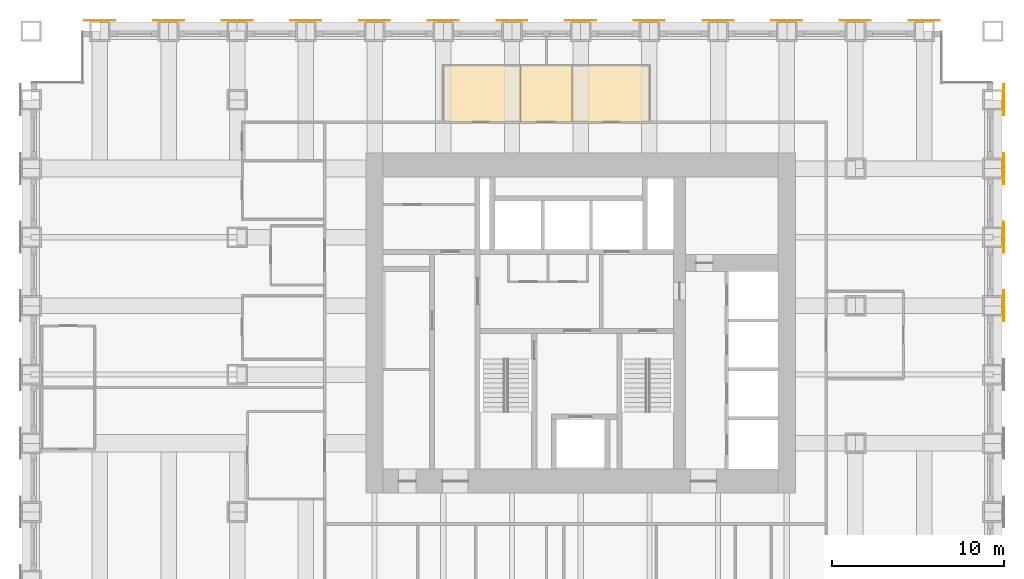
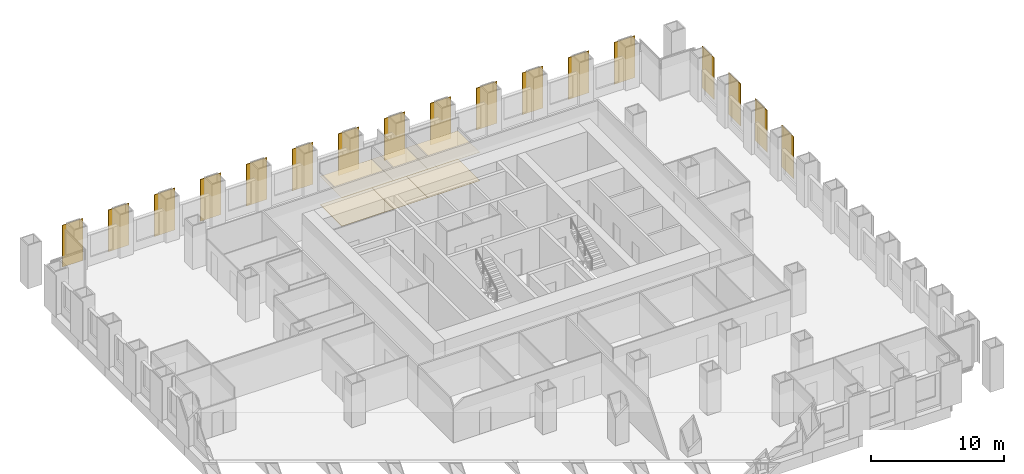
# One storey, part 15 of 15: 17 shading devices, 6 coverings.
"""IFC4 building model written with IfcOpenShell, lengths in metres."""

from ifc_helpers import new_model, si_unit, direction, frame, origin, origin_2d, place, context, subcontext, project, spatial, polyline, rectangle, outline, extrude, material, layer, layer_set, type_object, element, save


model = new_model("IFC4")

# Units and contexts
model_context = context("Model", 3, precision=1e-05, world=origin(), true_north=direction((0.0, 1.0)))
body_context = subcontext(model_context, "Body", "Model", "MODEL_VIEW")
ifc_project = project(units=[si_unit("LENGTHUNIT", "METRE"), si_unit("AREAUNIT", "SQUARE_METRE"), si_unit("VOLUMEUNIT", "CUBIC_METRE"), si_unit("PLANEANGLEUNIT", "RADIAN"), si_unit("MASSUNIT", "GRAM", prefix="KILO")], contexts=[model_context])

# Site, building, storey
site_placement = place(None, origin())
site = spatial("IfcSite", under=ifc_project, at=site_placement, CompositionType="ELEMENT")
building_placement = place(site_placement, origin())
building = spatial("IfcBuilding", under=site, at=building_placement, Name="Rimbunsela Tower", CompositionType="ELEMENT")
storey_placement = place(building_placement, frame((0.0, 0.0, 31.0)))
storey = spatial("IfcBuildingStorey", under=building, at=storey_placement, Name="L07", CompositionType="ELEMENT", Elevation=31.0)

# Coverings
ifc_material_1 = material(Name="Moisture-resistant plasterboard ceiling", Category="gypsum")
ifc_layer_1 = layer(ifc_material_1, 0.012451171875)
ifc_layer_set_1 = layer_set([ifc_layer_1], Name="Ceiling moisture-resistant board")
covering_type_1 = type_object("IfcCoveringType", Name="Ceiling moisture-resistant board", PredefinedType="CEILING", material=ifc_layer_set_1)
covering_1_placement = place(storey_placement, frame((0.0, 0.0, 2.60009765625)))
element("IfcCovering", 1, at=covering_1_placement, inside=storey, type_object=covering_type_1, Name="Ceiling Female WC", PredefinedType="CEILING", context=body_context, shape_type="SweptSolid", body=[
    extrude(outline(polyline([(26.5, 38.699951171875), (26.5, 42.0), (22.0, 42.0), (22.0, 38.699951171875), (26.5, 38.699951171875)])), origin(), (0.0, 0.0, 1.0), 0.02001953125),
])
covering_2_placement = place(storey_placement, frame((0.0, 0.0, 2.60009765625)))
element("IfcCovering", 2, at=covering_2_placement, inside=storey, type_object=covering_type_1, Name="Ceiling Accessible WC", PredefinedType="CEILING", context=body_context, shape_type="SweptSolid", body=[
    extrude(outline(polyline([(29.5, 38.699951171875), (29.5, 42.0), (26.5, 42.0), (26.5, 38.699951171875), (29.5, 38.699951171875)])), origin(), (0.0, 0.0, 1.0), 0.02001953125),
])
covering_3_placement = place(storey_placement, frame((0.0, 0.0, 2.60009765625)))
element("IfcCovering", 3, at=covering_3_placement, inside=storey, type_object=covering_type_1, Name="Ceiling Male WC", PredefinedType="CEILING", context=body_context, shape_type="SweptSolid", body=[
    extrude(outline(polyline([(34.0, 38.699951171875), (34.0, 42.0), (29.5, 42.0), (29.5, 38.699951171875), (34.0, 38.699951171875)])), origin(), (0.0, 0.0, 1.0), 0.02001953125),
])
ifc_material_2 = material(Name="Porcelain floor tile in adhesive bed", Category="ceramic")
ifc_layer_2 = layer(ifc_material_2, 0.02001953125)
ifc_layer_set_2 = layer_set([ifc_layer_2], Name="Porcelain tile 20")
covering_type_2 = type_object("IfcCoveringType", Name="Porcelain tile 20", PredefinedType="FLOORING", material=ifc_layer_set_2)
covering_4_placement = place(storey_placement, origin())
element("IfcCovering", 4, at=covering_4_placement, inside=storey, type_object=covering_type_2, Name="Floor finish Female WC", PredefinedType="FLOORING", context=body_context, shape_type="SweptSolid", body=[
    extrude(outline(polyline([(26.5, 38.699951171875), (26.5, 42.0), (22.0, 42.0), (22.0, 38.699951171875), (26.5, 38.699951171875)])), origin(), (0.0, 0.0, 1.0), 0.02001953125),
])
covering_5_placement = place(storey_placement, origin())
element("IfcCovering", 5, at=covering_5_placement, inside=storey, type_object=covering_type_2, Name="Floor finish Accessible WC", PredefinedType="FLOORING", context=body_context, shape_type="SweptSolid", body=[
    extrude(outline(polyline([(29.5, 38.699951171875), (29.5, 42.0), (26.5, 42.0), (26.5, 38.699951171875), (29.5, 38.699951171875)])), origin(), (0.0, 0.0, 1.0), 0.02001953125),
])
covering_6_placement = place(storey_placement, origin())
element("IfcCovering", 6, at=covering_6_placement, inside=storey, type_object=covering_type_2, Name="Floor finish Male WC", PredefinedType="FLOORING", context=body_context, shape_type="SweptSolid", body=[
    extrude(outline(polyline([(34.0, 38.699951171875), (34.0, 42.0), (29.5, 42.0), (29.5, 38.699951171875), (34.0, 38.699951171875)])), origin(), (0.0, 0.0, 1.0), 0.02001953125),
])

# Shading devices
ifc_material_3 = material(Name="Perforated aluminium, 35 % open area", Category="aluminium")
ifc_layer_3 = layer(ifc_material_3, 0.050048828125)
ifc_layer_set_3 = layer_set([ifc_layer_3], Name="Solar screen panel 1800")
shading_device_type = type_object("IfcShadingDeviceType", Name="Solar screen panel 1800", PredefinedType="USERDEFINED", material=ifc_layer_set_3)
for number, where, z_axis, x_axis, name in (
    (7, (54.625, 28.0, 0.0), (0.0, 0.0, 1.0), (0.0, 1.0, 0.0), "Solar screen E L07"),
    (8, (54.625, 32.0, 0.0), (0.0, 0.0, 1.0), (0.0, 1.0, 0.0), "Solar screen E L07"),
    (9, (54.625, 36.0, 0.0), (0.0, 0.0, 1.0), (0.0, 1.0, 0.0), "Solar screen E L07"),
    (10, (54.625, 40.0, 0.0), (0.0, 0.0, 1.0), (0.0, 1.0, 0.0), "Solar screen E L07"),
    (11, (2.0, 44.625, 0.0), (0.0, 0.0, 1.0), (1.0, 0.0, 0.0), "Solar screen N L07"),
    (12, (6.0, 44.625, 0.0), (0.0, 0.0, 1.0), (1.0, 0.0, 0.0), "Solar screen N L07"),
    (13, (10.0, 44.625, 0.0), (0.0, 0.0, 1.0), (1.0, 0.0, 0.0), "Solar screen N L07"),
    (14, (14.0, 44.625, 0.0), (0.0, 0.0, 1.0), (1.0, 0.0, 0.0), "Solar screen N L07"),
    (15, (18.0, 44.625, 0.0), (0.0, 0.0, 1.0), (1.0, 0.0, 0.0), "Solar screen N L07"),
    (16, (22.0, 44.625, 0.0), (0.0, 0.0, 1.0), (1.0, 0.0, 0.0), "Solar screen N L07"),
    (17, (26.0, 44.625, 0.0), (0.0, 0.0, 1.0), (1.0, 0.0, 0.0), "Solar screen N L07"),
    (18, (30.0, 44.625, 0.0), (0.0, 0.0, 1.0), (1.0, 0.0, 0.0), "Solar screen N L07"),
    (19, (34.0, 44.625, 0.0), (0.0, 0.0, 1.0), (1.0, 0.0, 0.0), "Solar screen N L07"),
    (20, (38.0, 44.625, 0.0), (0.0, 0.0, 1.0), (1.0, 0.0, 0.0), "Solar screen N L07"),
    (21, (42.0, 44.625, 0.0), (0.0, 0.0, 1.0), (1.0, 0.0, 0.0), "Solar screen N L07"),
    (22, (46.0, 44.625, 0.0), (0.0, 0.0, 1.0), (1.0, 0.0, 0.0), "Solar screen N L07"),
    (23, (50.0, 44.625, 0.0), (0.0, 0.0, 1.0), (1.0, 0.0, 0.0), "Solar screen N L07"),
):
    element("IfcShadingDevice", number, at=place(storey_placement, frame(where, z_axis=z_axis, x_axis=x_axis)), inside=storey, type_object=shading_device_type, Name=name, ObjectType="SCREEN", PredefinedType="USERDEFINED", context=body_context, shape_type="SweptSolid", body=[
        extrude(rectangle(XDim=1.800048828125, YDim=0.050048828125, at=origin_2d()), origin(), (0.0, 0.0, 1.0), 3.85009765625),
    ])

save(model, "model.ifc")
